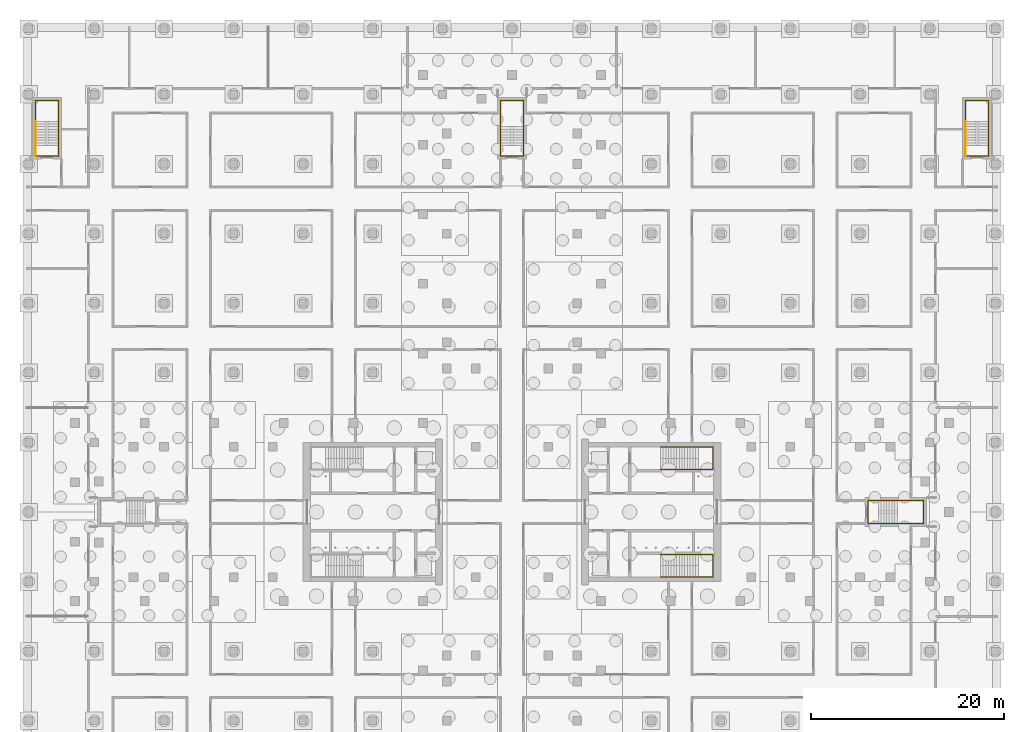
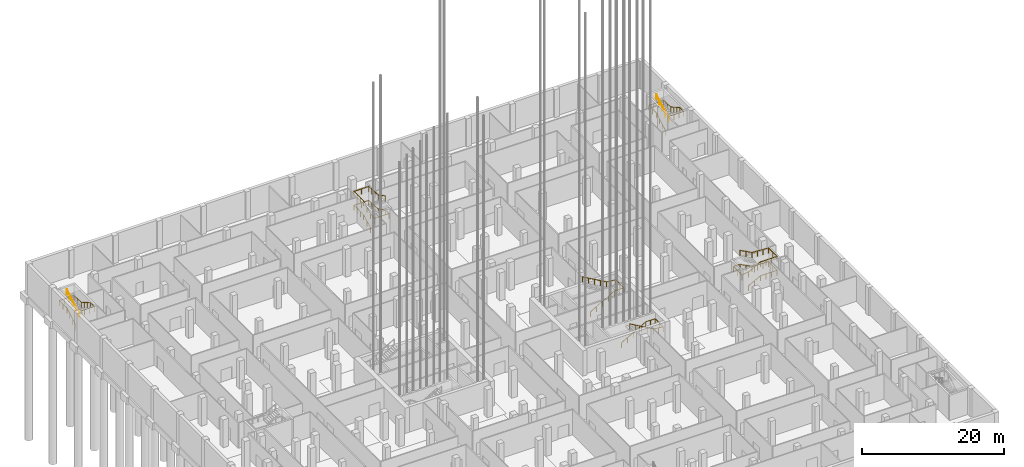
# One storey, part 53 of 54: 10 railings.
"""IFC4 building model written with IfcOpenShell, lengths in metres."""

from ifc_helpers import new_model, si_unit, direction, frame, origin, origin_2d, place, context, subcontext, project, spatial, circle, extrude, material, type_object, element, save


model = new_model("IFC4")

# Units and contexts
model_context = context("Model", 3, precision=1e-05, world=origin(), true_north=direction((0.0, 1.0)))
body_context = subcontext(model_context, "Body", "Model", "MODEL_VIEW")
ifc_project = project(units=[si_unit("LENGTHUNIT", "METRE"), si_unit("AREAUNIT", "SQUARE_METRE"), si_unit("VOLUMEUNIT", "CUBIC_METRE"), si_unit("PLANEANGLEUNIT", "RADIAN"), si_unit("MASSUNIT", "GRAM", prefix="KILO")], contexts=[model_context])

# Site, building, storey
site_placement = place(None, origin())
site = spatial("IfcSite", under=ifc_project, at=site_placement, CompositionType="ELEMENT")
building_placement = place(site_placement, origin())
building = spatial("IfcBuilding", under=site, at=building_placement, Name="Fustian Cross Tower", CompositionType="ELEMENT")
storey_placement = place(building_placement, frame((0.0, 0.0, -4.800048828125)))
storey = spatial("IfcBuildingStorey", under=building, at=storey_placement, Name="B1", CompositionType="ELEMENT", Elevation=-4.800048828125)

# Railings
ifc_material = material(Name="Stainless steel", Category="steel")
railing_type = type_object("IfcRailingType", Name="STAIR HANDRAIL", PredefinedType="HANDRAIL", material=ifc_material)
railing_1_placement = place(storey_placement, frame((15.35009765625, 4.39990234375, 0.16015625)))
element("IfcRailing", 1, at=railing_1_placement, inside=storey, type_object=railing_type, Name="Stair ST1 handrail 1", PredefinedType="HANDRAIL", context=body_context, shape_type="SweptSolid", body=[
    extrude(circle(Radius=0.02490234375, at=origin_2d()), frame((0.0, 0.0, 0.875), z_axis=(0.868239814368, 0.0, 0.496144761885), x_axis=(0.0, 1.0, 0.0)), (0.0, 0.0, 1.0), 4.514892578125),
    extrude(circle(Radius=0.02490234375, at=origin_2d()), frame((3.919921875, 0.0, 3.11474609375), z_axis=(1.0, 0.0, 0.0), x_axis=(0.0, 1.0, 0.0)), (0.0, 0.0, 1.0), 1.5400390625),
    extrude(circle(Radius=0.02490234375, at=origin_2d()), frame((5.4599609375, 0.0, 3.11474609375), z_axis=(0.0, 1.0, 0.0), x_axis=(-1.0, 0.0, 0.0)), (0.0, 0.0, 1.0), 2.300048828125),
    extrude(circle(Radius=0.02490234375, at=origin_2d()), frame((5.4599609375, 2.300048828125, 3.11474609375), z_axis=(-0.994652207469, 0.0, 0.10328110271), x_axis=(0.0, -1.0, 0.0)), (0.0, 0.0, 1.0), 1.54833984375),
    extrude(circle(Radius=0.02490234375, at=origin_2d()), frame((3.919921875, 2.300048828125, 3.27490234375), z_axis=(-0.868239814368, 0.0, 0.496144761885), x_axis=(0.0, -1.0, 0.0)), (0.0, 0.0, 1.0), 4.514892578125),
    extrude(circle(Radius=0.02001953125, at=origin_2d()), origin(), (0.0, 0.0, 1.0), 0.849853515625),
    extrude(circle(Radius=0.02001953125, at=origin_2d()), frame((0.97998046875, 0.0, 0.56005859375)), (0.0, 0.0, 1.0), 0.849853515625),
    extrude(circle(Radius=0.02001953125, at=origin_2d()), frame((1.9599609375, 0.0, 1.1201171875)), (0.0, 0.0, 1.0), 0.849853515625),
    extrude(circle(Radius=0.02001953125, at=origin_2d()), frame((2.93994140625, 0.0, 1.679931640625)), (0.0, 0.0, 1.0), 0.849853515625),
    extrude(circle(Radius=0.02001953125, at=origin_2d()), frame((3.919921875, 0.0, 2.239990234375)), (0.0, 0.0, 1.0), 0.849853515625),
    extrude(circle(Radius=0.02001953125, at=origin_2d()), frame((4.68994140625, 0.0, 2.239990234375)), (0.0, 0.0, 1.0), 0.849853515625),
    extrude(circle(Radius=0.02001953125, at=origin_2d()), frame((5.4599609375, 0.0, 2.239990234375)), (0.0, 0.0, 1.0), 0.849853515625),
    extrude(circle(Radius=0.02001953125, at=origin_2d()), frame((5.4599609375, 1.14990234375, 2.239990234375)), (0.0, 0.0, 1.0), 0.849853515625),
    extrude(circle(Radius=0.02001953125, at=origin_2d()), frame((5.4599609375, 2.300048828125, 2.239990234375)), (0.0, 0.0, 1.0), 0.849853515625),
    extrude(circle(Radius=0.02001953125, at=origin_2d()), frame((4.68994140625, 2.300048828125, 2.31982421875)), (0.0, 0.0, 1.0), 0.849853515625),
    extrude(circle(Radius=0.02001953125, at=origin_2d()), frame((3.919921875, 2.300048828125, 2.39990234375)), (0.0, 0.0, 1.0), 0.849853515625),
    extrude(circle(Radius=0.02001953125, at=origin_2d()), frame((2.93994140625, 2.300048828125, 2.9599609375)), (0.0, 0.0, 1.0), 0.849853515625),
    extrude(circle(Radius=0.02001953125, at=origin_2d()), frame((1.9599609375, 2.300048828125, 3.52001953125)), (0.0, 0.0, 1.0), 0.849853515625),
    extrude(circle(Radius=0.02001953125, at=origin_2d()), frame((0.97998046875, 2.300048828125, 4.079833984375)), (0.0, 0.0, 1.0), 0.849853515625),
    extrude(circle(Radius=0.02001953125, at=origin_2d()), frame((0.0, 2.300048828125, 4.639892578125)), (0.0, 0.0, 1.0), 0.849853515625),
])
railing_2_placement = place(storey_placement, frame((15.35009765625, -4.39990234375, 0.16015625)))
element("IfcRailing", 2, at=railing_2_placement, inside=storey, type_object=railing_type, Name="Stair ST2 handrail 1", PredefinedType="HANDRAIL", context=body_context, shape_type="SweptSolid", body=[
    extrude(circle(Radius=0.02490234375, at=origin_2d()), frame((0.0, 0.0, 0.875), z_axis=(0.868239814368, 0.0, 0.496144761885), x_axis=(0.0, 1.0, 0.0)), (0.0, 0.0, 1.0), 4.514892578125),
    extrude(circle(Radius=0.02490234375, at=origin_2d()), frame((3.919921875, 0.0, 3.11474609375), z_axis=(1.0, 0.0, 0.0), x_axis=(0.0, 1.0, 0.0)), (0.0, 0.0, 1.0), 1.5400390625),
    extrude(circle(Radius=0.02490234375, at=origin_2d()), frame((5.4599609375, 0.0, 3.11474609375), z_axis=(0.0, -1.0, 0.0), x_axis=(1.0, 0.0, 0.0)), (0.0, 0.0, 1.0), 2.300048828125),
    extrude(circle(Radius=0.02490234375, at=origin_2d()), frame((5.4599609375, -2.300048828125, 3.11474609375), z_axis=(-0.994652207469, 0.0, 0.10328110271), x_axis=(0.0, -1.0, 0.0)), (0.0, 0.0, 1.0), 1.54833984375),
    extrude(circle(Radius=0.02490234375, at=origin_2d()), frame((3.919921875, -2.300048828125, 3.27490234375), z_axis=(-0.868239814368, 0.0, 0.496144761885), x_axis=(0.0, -1.0, 0.0)), (0.0, 0.0, 1.0), 4.514892578125),
    extrude(circle(Radius=0.02001953125, at=origin_2d()), origin(), (0.0, 0.0, 1.0), 0.849853515625),
    extrude(circle(Radius=0.02001953125, at=origin_2d()), frame((0.97998046875, 0.0, 0.56005859375)), (0.0, 0.0, 1.0), 0.849853515625),
    extrude(circle(Radius=0.02001953125, at=origin_2d()), frame((1.9599609375, 0.0, 1.1201171875)), (0.0, 0.0, 1.0), 0.849853515625),
    extrude(circle(Radius=0.02001953125, at=origin_2d()), frame((2.93994140625, 0.0, 1.679931640625)), (0.0, 0.0, 1.0), 0.849853515625),
    extrude(circle(Radius=0.02001953125, at=origin_2d()), frame((3.919921875, 0.0, 2.239990234375)), (0.0, 0.0, 1.0), 0.849853515625),
    extrude(circle(Radius=0.02001953125, at=origin_2d()), frame((4.68994140625, 0.0, 2.239990234375)), (0.0, 0.0, 1.0), 0.849853515625),
    extrude(circle(Radius=0.02001953125, at=origin_2d()), frame((5.4599609375, 0.0, 2.239990234375)), (0.0, 0.0, 1.0), 0.849853515625),
    extrude(circle(Radius=0.02001953125, at=origin_2d()), frame((5.4599609375, -1.14990234375, 2.239990234375)), (0.0, 0.0, 1.0), 0.849853515625),
    extrude(circle(Radius=0.02001953125, at=origin_2d()), frame((5.4599609375, -2.300048828125, 2.239990234375)), (0.0, 0.0, 1.0), 0.849853515625),
    extrude(circle(Radius=0.02001953125, at=origin_2d()), frame((4.68994140625, -2.300048828125, 2.31982421875)), (0.0, 0.0, 1.0), 0.849853515625),
    extrude(circle(Radius=0.02001953125, at=origin_2d()), frame((3.919921875, -2.300048828125, 2.39990234375)), (0.0, 0.0, 1.0), 0.849853515625),
    extrude(circle(Radius=0.02001953125, at=origin_2d()), frame((2.93994140625, -2.300048828125, 2.9599609375)), (0.0, 0.0, 1.0), 0.849853515625),
    extrude(circle(Radius=0.02001953125, at=origin_2d()), frame((1.9599609375, -2.300048828125, 3.52001953125)), (0.0, 0.0, 1.0), 0.849853515625),
    extrude(circle(Radius=0.02001953125, at=origin_2d()), frame((0.97998046875, -2.300048828125, 4.079833984375)), (0.0, 0.0, 1.0), 0.849853515625),
    extrude(circle(Radius=0.02001953125, at=origin_2d()), frame((0.0, -2.300048828125, 4.639892578125)), (0.0, 0.0, 1.0), 0.849853515625),
])
railing_3_placement = place(storey_placement, frame((-1.199951171875, 37.89990234375, 0.150146484375)))
element("IfcRailing", 3, at=railing_3_placement, inside=storey, type_object=railing_type, Name="Stair ST5 handrail 1", PredefinedType="HANDRAIL", context=body_context, shape_type="SweptSolid", body=[
    extrude(circle(Radius=0.02490234375, at=origin_2d()), frame((0.0, 0.0, 0.875), z_axis=(0.0, 0.881537091348, 0.472114770556), x_axis=(-1.0, 0.0, 0.0)), (0.0, 0.0, 1.0), 2.2236328125),
    extrude(circle(Radius=0.02490234375, at=origin_2d()), frame((0.0, 1.960205078125, 1.9248046875), z_axis=(0.0, 1.0, 0.0), x_axis=(-1.0, 0.0, 0.0)), (0.0, 0.0, 1.0), 2.699951171875),
    extrude(circle(Radius=0.02490234375, at=origin_2d()), frame((0.0, 4.66015625, 1.9248046875), z_axis=(1.0, 0.0, 0.0), x_axis=(0.0, 1.0, 0.0)), (0.0, 0.0, 1.0), 2.39990234375),
    extrude(circle(Radius=0.02490234375, at=origin_2d()), frame((2.39990234375, 4.66015625, 1.9248046875), z_axis=(0.0, -0.998457295904, 0.055525023689), x_axis=(1.0, 0.0, 0.0)), (0.0, 0.0, 1.0), 2.7041015625),
    extrude(circle(Radius=0.02490234375, at=origin_2d()), frame((2.39990234375, 1.960205078125, 2.07470703125), z_axis=(0.0, -0.881491394732, 0.472200085782), x_axis=(1.0, 0.0, 0.0)), (0.0, 0.0, 1.0), 2.2236328125),
    extrude(circle(Radius=0.02490234375, at=origin_2d()), frame((2.39990234375, 0.0, 3.125), z_axis=(0.0, -1.0, 0.0), x_axis=(1.0, 0.0, 0.0)), (0.0, 0.0, 1.0), 1.059814453125),
    extrude(circle(Radius=0.02490234375, at=origin_2d()), frame((2.39990234375, -1.059814453125, 3.125), z_axis=(-1.0, 0.0, 0.0), x_axis=(0.0, -1.0, 0.0)), (0.0, 0.0, 1.0), 2.39990234375),
    extrude(circle(Radius=0.02001953125, at=origin_2d()), origin(), (0.0, 0.0, 1.0), 0.849853515625),
    extrude(circle(Radius=0.02001953125, at=origin_2d()), frame((0.0, 0.97998046875, 0.52490234375)), (0.0, 0.0, 1.0), 0.849853515625),
    extrude(circle(Radius=0.02001953125, at=origin_2d()), frame((0.0, 1.960205078125, 1.0498046875)), (0.0, 0.0, 1.0), 0.849853515625),
    extrude(circle(Radius=0.02001953125, at=origin_2d()), frame((0.0, 2.860107421875, 1.0498046875)), (0.0, 0.0, 1.0), 0.849853515625),
    extrude(circle(Radius=0.02001953125, at=origin_2d()), frame((0.0, 3.76025390625, 1.0498046875)), (0.0, 0.0, 1.0), 0.849853515625),
    extrude(circle(Radius=0.02001953125, at=origin_2d()), frame((0.0, 4.66015625, 1.0498046875)), (0.0, 0.0, 1.0), 0.849853515625),
    extrude(circle(Radius=0.02001953125, at=origin_2d()), frame((1.199951171875, 4.66015625, 1.0498046875)), (0.0, 0.0, 1.0), 0.849853515625),
    extrude(circle(Radius=0.02001953125, at=origin_2d()), frame((2.39990234375, 4.66015625, 1.0498046875)), (0.0, 0.0, 1.0), 0.849853515625),
    extrude(circle(Radius=0.02001953125, at=origin_2d()), frame((2.39990234375, 3.76025390625, 1.099853515625)), (0.0, 0.0, 1.0), 0.849853515625),
    extrude(circle(Radius=0.02001953125, at=origin_2d()), frame((2.39990234375, 2.860107421875, 1.14990234375)), (0.0, 0.0, 1.0), 0.849853515625),
    extrude(circle(Radius=0.02001953125, at=origin_2d()), frame((2.39990234375, 1.960205078125, 1.199951171875)), (0.0, 0.0, 1.0), 0.849853515625),
    extrude(circle(Radius=0.02001953125, at=origin_2d()), frame((2.39990234375, 0.97998046875, 1.72509765625)), (0.0, 0.0, 1.0), 0.849853515625),
    extrude(circle(Radius=0.02001953125, at=origin_2d()), frame((2.39990234375, 0.0, 2.25)), (0.0, 0.0, 1.0), 0.849853515625),
    extrude(circle(Radius=0.02001953125, at=origin_2d()), frame((2.39990234375, -1.059814453125, 2.25)), (0.0, 0.0, 1.0), 0.849853515625),
    extrude(circle(Radius=0.02001953125, at=origin_2d()), frame((1.199951171875, -1.059814453125, 2.25)), (0.0, 0.0, 1.0), 0.849853515625),
    extrude(circle(Radius=0.02001953125, at=origin_2d()), frame((0.0, -1.059814453125, 2.25)), (0.0, 0.0, 1.0), 0.849853515625),
])
railing_4_placement = place(storey_placement, frame((-1.199951171875, 36.840087890625, 2.400146484375)))
element("IfcRailing", 4, at=railing_4_placement, inside=storey, type_object=railing_type, Name="Stair ST5 handrail 2", PredefinedType="HANDRAIL", context=body_context, shape_type="SweptSolid", body=[
    extrude(circle(Radius=0.02490234375, at=origin_2d()), frame((0.0, 0.0, 0.875), z_axis=(0.0, 0.990144699965, 0.140048110062), x_axis=(-1.0, 0.0, 0.0)), (0.0, 0.0, 1.0), 1.0703125),
    extrude(circle(Radius=0.02490234375, at=origin_2d()), frame((0.0, 1.059814453125, 1.02490234375), z_axis=(0.0, 0.881491394732, 0.472200085782), x_axis=(-1.0, 0.0, 0.0)), (0.0, 0.0, 1.0), 2.2236328125),
    extrude(circle(Radius=0.02490234375, at=origin_2d()), frame((0.0, 3.02001953125, 2.07470703125), z_axis=(0.0, 1.0, 0.0), x_axis=(-1.0, 0.0, 0.0)), (0.0, 0.0, 1.0), 2.699951171875),
    extrude(circle(Radius=0.02490234375, at=origin_2d()), frame((0.0, 5.719970703125, 2.07470703125), z_axis=(1.0, 0.0, 0.0), x_axis=(0.0, 1.0, 0.0)), (0.0, 0.0, 1.0), 2.39990234375),
    extrude(circle(Radius=0.02490234375, at=origin_2d()), frame((2.39990234375, 5.719970703125, 2.07470703125), z_axis=(0.0, -0.998462297193, 0.055435016772), x_axis=(1.0, 0.0, 0.0)), (0.0, 0.0, 1.0), 2.7041015625),
    extrude(circle(Radius=0.02490234375, at=origin_2d()), frame((2.39990234375, 3.02001953125, 2.224609375), z_axis=(0.0, -0.881491394732, 0.472200085782), x_axis=(1.0, 0.0, 0.0)), (0.0, 0.0, 1.0), 2.2236328125),
    extrude(circle(Radius=0.02001953125, at=origin_2d()), origin(), (0.0, 0.0, 1.0), 0.849853515625),
    extrude(circle(Radius=0.02001953125, at=origin_2d()), frame((0.0, 1.059814453125, 0.14990234375)), (0.0, 0.0, 1.0), 0.849853515625),
    extrude(circle(Radius=0.02001953125, at=origin_2d()), frame((0.0, 2.0400390625, 0.6748046875)), (0.0, 0.0, 1.0), 0.849853515625),
    extrude(circle(Radius=0.02001953125, at=origin_2d()), frame((0.0, 3.02001953125, 1.199951171875)), (0.0, 0.0, 1.0), 0.849853515625),
    extrude(circle(Radius=0.02001953125, at=origin_2d()), frame((0.0, 3.919921875, 1.199951171875)), (0.0, 0.0, 1.0), 0.849853515625),
    extrude(circle(Radius=0.02001953125, at=origin_2d()), frame((0.0, 4.820068359375, 1.199951171875)), (0.0, 0.0, 1.0), 0.849853515625),
    extrude(circle(Radius=0.02001953125, at=origin_2d()), frame((0.0, 5.719970703125, 1.199951171875)), (0.0, 0.0, 1.0), 0.849853515625),
    extrude(circle(Radius=0.02001953125, at=origin_2d()), frame((1.199951171875, 5.719970703125, 1.199951171875)), (0.0, 0.0, 1.0), 0.849853515625),
    extrude(circle(Radius=0.02001953125, at=origin_2d()), frame((2.39990234375, 5.719970703125, 1.199951171875)), (0.0, 0.0, 1.0), 0.849853515625),
    extrude(circle(Radius=0.02001953125, at=origin_2d()), frame((2.39990234375, 4.820068359375, 1.25)), (0.0, 0.0, 1.0), 0.849853515625),
    extrude(circle(Radius=0.02001953125, at=origin_2d()), frame((2.39990234375, 3.919921875, 1.2998046875)), (0.0, 0.0, 1.0), 0.849853515625),
    extrude(circle(Radius=0.02001953125, at=origin_2d()), frame((2.39990234375, 3.02001953125, 1.349853515625)), (0.0, 0.0, 1.0), 0.849853515625),
    extrude(circle(Radius=0.02001953125, at=origin_2d()), frame((2.39990234375, 2.0400390625, 1.875)), (0.0, 0.0, 1.0), 0.849853515625),
    extrude(circle(Radius=0.02001953125, at=origin_2d()), frame((2.39990234375, 1.059814453125, 2.39990234375)), (0.0, 0.0, 1.0), 0.849853515625),
])
railing_5_placement = place(storey_placement, frame((37.89990234375, -1.199951171875, 0.150146484375)))
element("IfcRailing", 5, at=railing_5_placement, inside=storey, type_object=railing_type, Name="Stair ST8 handrail 1", PredefinedType="HANDRAIL", context=body_context, shape_type="SweptSolid", body=[
    extrude(circle(Radius=0.02490234375, at=origin_2d()), frame((0.0, 0.0, 0.875), z_axis=(0.881537091348, 0.0, 0.472114770556), x_axis=(0.0, 1.0, 0.0)), (0.0, 0.0, 1.0), 2.2236328125),
    extrude(circle(Radius=0.02490234375, at=origin_2d()), frame((1.960205078125, 0.0, 1.9248046875), z_axis=(1.0, 0.0, 0.0), x_axis=(0.0, 1.0, 0.0)), (0.0, 0.0, 1.0), 2.699951171875),
    extrude(circle(Radius=0.02490234375, at=origin_2d()), frame((4.66015625, 0.0, 1.9248046875), z_axis=(0.0, 1.0, 0.0), x_axis=(-1.0, 0.0, 0.0)), (0.0, 0.0, 1.0), 2.39990234375),
    extrude(circle(Radius=0.02490234375, at=origin_2d()), frame((4.66015625, 2.39990234375, 1.9248046875), z_axis=(-0.998457295904, 0.0, 0.055525023689), x_axis=(0.0, -1.0, 0.0)), (0.0, 0.0, 1.0), 2.7041015625),
    extrude(circle(Radius=0.02490234375, at=origin_2d()), frame((1.960205078125, 2.39990234375, 2.07470703125), z_axis=(-0.881491394732, 0.0, 0.472200085782), x_axis=(0.0, -1.0, 0.0)), (0.0, 0.0, 1.0), 2.2236328125),
    extrude(circle(Radius=0.02490234375, at=origin_2d()), frame((0.0, 2.39990234375, 3.125), z_axis=(-1.0, 0.0, 0.0), x_axis=(0.0, -1.0, 0.0)), (0.0, 0.0, 1.0), 1.059814453125),
    extrude(circle(Radius=0.02490234375, at=origin_2d()), frame((-1.059814453125, 2.39990234375, 3.125), z_axis=(0.0, -1.0, 0.0), x_axis=(1.0, 0.0, 0.0)), (0.0, 0.0, 1.0), 2.39990234375),
    extrude(circle(Radius=0.02001953125, at=origin_2d()), origin(), (0.0, 0.0, 1.0), 0.849853515625),
    extrude(circle(Radius=0.02001953125, at=origin_2d()), frame((0.97998046875, 0.0, 0.52490234375)), (0.0, 0.0, 1.0), 0.849853515625),
    extrude(circle(Radius=0.02001953125, at=origin_2d()), frame((1.960205078125, 0.0, 1.0498046875)), (0.0, 0.0, 1.0), 0.849853515625),
    extrude(circle(Radius=0.02001953125, at=origin_2d()), frame((2.860107421875, 0.0, 1.0498046875)), (0.0, 0.0, 1.0), 0.849853515625),
    extrude(circle(Radius=0.02001953125, at=origin_2d()), frame((3.76025390625, 0.0, 1.0498046875)), (0.0, 0.0, 1.0), 0.849853515625),
    extrude(circle(Radius=0.02001953125, at=origin_2d()), frame((4.66015625, 0.0, 1.0498046875)), (0.0, 0.0, 1.0), 0.849853515625),
    extrude(circle(Radius=0.02001953125, at=origin_2d()), frame((4.66015625, 1.199951171875, 1.0498046875)), (0.0, 0.0, 1.0), 0.849853515625),
    extrude(circle(Radius=0.02001953125, at=origin_2d()), frame((4.66015625, 2.39990234375, 1.0498046875)), (0.0, 0.0, 1.0), 0.849853515625),
    extrude(circle(Radius=0.02001953125, at=origin_2d()), frame((3.76025390625, 2.39990234375, 1.099853515625)), (0.0, 0.0, 1.0), 0.849853515625),
    extrude(circle(Radius=0.02001953125, at=origin_2d()), frame((2.860107421875, 2.39990234375, 1.14990234375)), (0.0, 0.0, 1.0), 0.849853515625),
    extrude(circle(Radius=0.02001953125, at=origin_2d()), frame((1.960205078125, 2.39990234375, 1.199951171875)), (0.0, 0.0, 1.0), 0.849853515625),
    extrude(circle(Radius=0.02001953125, at=origin_2d()), frame((0.97998046875, 2.39990234375, 1.72509765625)), (0.0, 0.0, 1.0), 0.849853515625),
    extrude(circle(Radius=0.02001953125, at=origin_2d()), frame((0.0, 2.39990234375, 2.25)), (0.0, 0.0, 1.0), 0.849853515625),
    extrude(circle(Radius=0.02001953125, at=origin_2d()), frame((-1.059814453125, 2.39990234375, 2.25)), (0.0, 0.0, 1.0), 0.849853515625),
    extrude(circle(Radius=0.02001953125, at=origin_2d()), frame((-1.059814453125, 1.199951171875, 2.25)), (0.0, 0.0, 1.0), 0.849853515625),
    extrude(circle(Radius=0.02001953125, at=origin_2d()), frame((-1.059814453125, 0.0, 2.25)), (0.0, 0.0, 1.0), 0.849853515625),
])
railing_6_placement = place(storey_placement, frame((36.840087890625, -1.199951171875, 2.400146484375)))
element("IfcRailing", 6, at=railing_6_placement, inside=storey, type_object=railing_type, Name="Stair ST8 handrail 2", PredefinedType="HANDRAIL", context=body_context, shape_type="SweptSolid", body=[
    extrude(circle(Radius=0.02490234375, at=origin_2d()), frame((0.0, 0.0, 0.875), z_axis=(0.990144699965, 0.0, 0.140048110062), x_axis=(0.0, 1.0, 0.0)), (0.0, 0.0, 1.0), 1.0703125),
    extrude(circle(Radius=0.02490234375, at=origin_2d()), frame((1.059814453125, 0.0, 1.02490234375), z_axis=(0.881491394732, 0.0, 0.472200085782), x_axis=(0.0, 1.0, 0.0)), (0.0, 0.0, 1.0), 2.2236328125),
    extrude(circle(Radius=0.02490234375, at=origin_2d()), frame((3.02001953125, 0.0, 2.07470703125), z_axis=(1.0, 0.0, 0.0), x_axis=(0.0, 1.0, 0.0)), (0.0, 0.0, 1.0), 2.699951171875),
    extrude(circle(Radius=0.02490234375, at=origin_2d()), frame((5.719970703125, 0.0, 2.07470703125), z_axis=(0.0, 1.0, 0.0), x_axis=(-1.0, 0.0, 0.0)), (0.0, 0.0, 1.0), 2.39990234375),
    extrude(circle(Radius=0.02490234375, at=origin_2d()), frame((5.719970703125, 2.39990234375, 2.07470703125), z_axis=(-0.998462297193, 0.0, 0.055435016772), x_axis=(0.0, -1.0, 0.0)), (0.0, 0.0, 1.0), 2.7041015625),
    extrude(circle(Radius=0.02490234375, at=origin_2d()), frame((3.02001953125, 2.39990234375, 2.224609375), z_axis=(-0.881491394732, 0.0, 0.472200085782), x_axis=(0.0, -1.0, 0.0)), (0.0, 0.0, 1.0), 2.2236328125),
    extrude(circle(Radius=0.02001953125, at=origin_2d()), origin(), (0.0, 0.0, 1.0), 0.849853515625),
    extrude(circle(Radius=0.02001953125, at=origin_2d()), frame((1.059814453125, 0.0, 0.14990234375)), (0.0, 0.0, 1.0), 0.849853515625),
    extrude(circle(Radius=0.02001953125, at=origin_2d()), frame((2.0400390625, 0.0, 0.6748046875)), (0.0, 0.0, 1.0), 0.849853515625),
    extrude(circle(Radius=0.02001953125, at=origin_2d()), frame((3.02001953125, 0.0, 1.199951171875)), (0.0, 0.0, 1.0), 0.849853515625),
    extrude(circle(Radius=0.02001953125, at=origin_2d()), frame((3.919921875, 0.0, 1.199951171875)), (0.0, 0.0, 1.0), 0.849853515625),
    extrude(circle(Radius=0.02001953125, at=origin_2d()), frame((4.820068359375, 0.0, 1.199951171875)), (0.0, 0.0, 1.0), 0.849853515625),
    extrude(circle(Radius=0.02001953125, at=origin_2d()), frame((5.719970703125, 0.0, 1.199951171875)), (0.0, 0.0, 1.0), 0.849853515625),
    extrude(circle(Radius=0.02001953125, at=origin_2d()), frame((5.719970703125, 1.199951171875, 1.199951171875)), (0.0, 0.0, 1.0), 0.849853515625),
    extrude(circle(Radius=0.02001953125, at=origin_2d()), frame((5.719970703125, 2.39990234375, 1.199951171875)), (0.0, 0.0, 1.0), 0.849853515625),
    extrude(circle(Radius=0.02001953125, at=origin_2d()), frame((4.820068359375, 2.39990234375, 1.25)), (0.0, 0.0, 1.0), 0.849853515625),
    extrude(circle(Radius=0.02001953125, at=origin_2d()), frame((3.919921875, 2.39990234375, 1.2998046875)), (0.0, 0.0, 1.0), 0.849853515625),
    extrude(circle(Radius=0.02001953125, at=origin_2d()), frame((3.02001953125, 2.39990234375, 1.349853515625)), (0.0, 0.0, 1.0), 0.849853515625),
    extrude(circle(Radius=0.02001953125, at=origin_2d()), frame((2.0400390625, 2.39990234375, 1.875)), (0.0, 0.0, 1.0), 0.849853515625),
    extrude(circle(Radius=0.02001953125, at=origin_2d()), frame((1.059814453125, 2.39990234375, 2.39990234375)), (0.0, 0.0, 1.0), 0.849853515625),
])
railing_7_placement = place(storey_placement, frame((46.89990234375, 37.89990234375, 0.16015625)))
element("IfcRailing", 7, at=railing_7_placement, inside=storey, type_object=railing_type, Name="Stair ST10 handrail 1", PredefinedType="HANDRAIL", context=body_context, shape_type="SweptSolid", body=[
    extrude(circle(Radius=0.02490234375, at=origin_2d()), frame((0.0, 0.0, 0.875), z_axis=(0.0, 0.868253494771, 0.496120820787), x_axis=(-1.0, 0.0, 0.0)), (0.0, 0.0, 1.0), 2.90234375),
    extrude(circle(Radius=0.02490234375, at=origin_2d()), frame((0.0, 2.52001953125, 2.31494140625), z_axis=(0.0, 1.0, 0.0), x_axis=(-1.0, 0.0, 0.0)), (0.0, 0.0, 1.0), 2.14013671875),
    extrude(circle(Radius=0.02490234375, at=origin_2d()), frame((0.0, 4.66015625, 2.31494140625), z_axis=(1.0, 0.0, 0.0), x_axis=(0.0, 1.0, 0.0)), (0.0, 0.0, 1.0), 2.400146484375),
    extrude(circle(Radius=0.02490234375, at=origin_2d()), frame((2.400146484375, 4.66015625, 2.31494140625), z_axis=(0.0, -0.997220057848, 0.074512792367), x_axis=(1.0, 0.0, 0.0)), (0.0, 0.0, 1.0), 2.14599609375),
    extrude(circle(Radius=0.02490234375, at=origin_2d()), frame((2.400146484375, 2.52001953125, 2.474609375), z_axis=(0.0, -0.868253494771, 0.496120820787), x_axis=(1.0, 0.0, 0.0)), (0.0, 0.0, 1.0), 2.90234375),
    extrude(circle(Radius=0.02490234375, at=origin_2d()), frame((2.400146484375, 0.0, 3.91455078125), z_axis=(0.0, -1.0, 0.0), x_axis=(1.0, 0.0, 0.0)), (0.0, 0.0, 1.0), 1.059814453125),
    extrude(circle(Radius=0.02490234375, at=origin_2d()), frame((2.400146484375, -1.059814453125, 3.91455078125), z_axis=(-1.0, 0.0, 0.0), x_axis=(0.0, -1.0, 0.0)), (0.0, 0.0, 1.0), 2.400146484375),
    extrude(circle(Radius=0.02001953125, at=origin_2d()), origin(), (0.0, 0.0, 1.0), 0.849853515625),
    extrude(circle(Radius=0.02001953125, at=origin_2d()), frame((0.0, 0.840087890625, 0.47998046875)), (0.0, 0.0, 1.0), 0.849853515625),
    extrude(circle(Radius=0.02001953125, at=origin_2d()), frame((0.0, 1.679931640625, 0.9599609375)), (0.0, 0.0, 1.0), 0.849853515625),
    extrude(circle(Radius=0.02001953125, at=origin_2d()), frame((0.0, 2.52001953125, 1.43994140625)), (0.0, 0.0, 1.0), 0.849853515625),
    extrude(circle(Radius=0.02001953125, at=origin_2d()), frame((0.0, 3.590087890625, 1.43994140625)), (0.0, 0.0, 1.0), 0.849853515625),
    extrude(circle(Radius=0.02001953125, at=origin_2d()), frame((0.0, 4.66015625, 1.43994140625)), (0.0, 0.0, 1.0), 0.849853515625),
    extrude(circle(Radius=0.02001953125, at=origin_2d()), frame((0.800048828125, 4.66015625, 1.43994140625)), (0.0, 0.0, 1.0), 0.849853515625),
    extrude(circle(Radius=0.02001953125, at=origin_2d()), frame((1.60009765625, 4.66015625, 1.43994140625)), (0.0, 0.0, 1.0), 0.849853515625),
    extrude(circle(Radius=0.02001953125, at=origin_2d()), frame((2.400146484375, 4.66015625, 1.43994140625)), (0.0, 0.0, 1.0), 0.849853515625),
    extrude(circle(Radius=0.02001953125, at=origin_2d()), frame((2.400146484375, 3.590087890625, 1.52001953125)), (0.0, 0.0, 1.0), 0.849853515625),
    extrude(circle(Radius=0.02001953125, at=origin_2d()), frame((2.400146484375, 2.52001953125, 1.599853515625)), (0.0, 0.0, 1.0), 0.849853515625),
    extrude(circle(Radius=0.02001953125, at=origin_2d()), frame((2.400146484375, 1.679931640625, 2.079833984375)), (0.0, 0.0, 1.0), 0.849853515625),
    extrude(circle(Radius=0.02001953125, at=origin_2d()), frame((2.400146484375, 0.840087890625, 2.559814453125)), (0.0, 0.0, 1.0), 0.849853515625),
    extrude(circle(Radius=0.02001953125, at=origin_2d()), frame((2.400146484375, 0.0, 3.039794921875)), (0.0, 0.0, 1.0), 0.849853515625),
    extrude(circle(Radius=0.02001953125, at=origin_2d()), frame((2.400146484375, -1.059814453125, 3.039794921875)), (0.0, 0.0, 1.0), 0.849853515625),
    extrude(circle(Radius=0.02001953125, at=origin_2d()), frame((1.60009765625, -1.059814453125, 3.039794921875)), (0.0, 0.0, 1.0), 0.849853515625),
    extrude(circle(Radius=0.02001953125, at=origin_2d()), frame((0.800048828125, -1.059814453125, 3.039794921875)), (0.0, 0.0, 1.0), 0.849853515625),
    extrude(circle(Radius=0.02001953125, at=origin_2d()), frame((0.0, -1.059814453125, 3.039794921875)), (0.0, 0.0, 1.0), 0.849853515625),
])
railing_8_placement = place(storey_placement, frame((46.89990234375, 36.840087890625, 3.199951171875)))
element("IfcRailing", 8, at=railing_8_placement, inside=storey, type_object=railing_type, Name="Stair ST10 handrail 2", PredefinedType="HANDRAIL", context=body_context, shape_type="SweptSolid", body=[
    extrude(circle(Radius=0.02490234375, at=origin_2d()), frame((0.0, 0.0, 0.875), z_axis=(0.0, 0.988773702343, 0.149420766813), x_axis=(-1.0, 0.0, 0.0)), (0.0, 0.0, 1.0), 1.07177734375),
    extrude(circle(Radius=0.02490234375, at=origin_2d()), frame((0.0, 1.059814453125, 1.03515625), z_axis=(0.0, 0.868253494771, 0.496120820787), x_axis=(-1.0, 0.0, 0.0)), (0.0, 0.0, 1.0), 2.90234375),
    extrude(circle(Radius=0.02001953125, at=origin_2d()), origin(), (0.0, 0.0, 1.0), 0.849853515625),
    extrude(circle(Radius=0.02001953125, at=origin_2d()), frame((0.0, 1.059814453125, 0.16015625)), (0.0, 0.0, 1.0), 0.849853515625),
    extrude(circle(Radius=0.02001953125, at=origin_2d()), frame((0.0, 1.89990234375, 0.64013671875)), (0.0, 0.0, 1.0), 0.849853515625),
    extrude(circle(Radius=0.02001953125, at=origin_2d()), frame((0.0, 2.73974609375, 1.1201171875)), (0.0, 0.0, 1.0), 0.849853515625),
    extrude(circle(Radius=0.02001953125, at=origin_2d()), frame((0.0, 3.579833984375, 1.60009765625)), (0.0, 0.0, 1.0), 0.849853515625),
])
railing_9_placement = place(storey_placement, frame((-49.300048828125, 37.89990234375, 0.16015625)))
element("IfcRailing", 9, at=railing_9_placement, inside=storey, type_object=railing_type, Name="Stair ST11 handrail 1", PredefinedType="HANDRAIL", context=body_context, shape_type="SweptSolid", body=[
    extrude(circle(Radius=0.02490234375, at=origin_2d()), frame((0.0, 0.0, 0.875), z_axis=(0.0, 0.868253494771, 0.496120820787), x_axis=(-1.0, 0.0, 0.0)), (0.0, 0.0, 1.0), 2.90234375),
    extrude(circle(Radius=0.02490234375, at=origin_2d()), frame((0.0, 2.52001953125, 2.31494140625), z_axis=(0.0, 1.0, 0.0), x_axis=(-1.0, 0.0, 0.0)), (0.0, 0.0, 1.0), 2.14013671875),
    extrude(circle(Radius=0.02490234375, at=origin_2d()), frame((0.0, 4.66015625, 2.31494140625), z_axis=(1.0, 0.0, 0.0), x_axis=(0.0, 1.0, 0.0)), (0.0, 0.0, 1.0), 2.400146484375),
    extrude(circle(Radius=0.02490234375, at=origin_2d()), frame((2.400146484375, 4.66015625, 2.31494140625), z_axis=(0.0, -0.997220057848, 0.074512792367), x_axis=(1.0, 0.0, 0.0)), (0.0, 0.0, 1.0), 2.14599609375),
    extrude(circle(Radius=0.02490234375, at=origin_2d()), frame((2.400146484375, 2.52001953125, 2.474609375), z_axis=(0.0, -0.868253494771, 0.496120820787), x_axis=(1.0, 0.0, 0.0)), (0.0, 0.0, 1.0), 2.90234375),
    extrude(circle(Radius=0.02490234375, at=origin_2d()), frame((2.400146484375, 0.0, 3.91455078125), z_axis=(0.0, -1.0, 0.0), x_axis=(1.0, 0.0, 0.0)), (0.0, 0.0, 1.0), 1.059814453125),
    extrude(circle(Radius=0.02490234375, at=origin_2d()), frame((2.400146484375, -1.059814453125, 3.91455078125), z_axis=(-1.0, 0.0, 0.0), x_axis=(0.0, -1.0, 0.0)), (0.0, 0.0, 1.0), 2.400146484375),
    extrude(circle(Radius=0.02001953125, at=origin_2d()), origin(), (0.0, 0.0, 1.0), 0.849853515625),
    extrude(circle(Radius=0.02001953125, at=origin_2d()), frame((0.0, 0.840087890625, 0.47998046875)), (0.0, 0.0, 1.0), 0.849853515625),
    extrude(circle(Radius=0.02001953125, at=origin_2d()), frame((0.0, 1.679931640625, 0.9599609375)), (0.0, 0.0, 1.0), 0.849853515625),
    extrude(circle(Radius=0.02001953125, at=origin_2d()), frame((0.0, 2.52001953125, 1.43994140625)), (0.0, 0.0, 1.0), 0.849853515625),
    extrude(circle(Radius=0.02001953125, at=origin_2d()), frame((0.0, 3.590087890625, 1.43994140625)), (0.0, 0.0, 1.0), 0.849853515625),
    extrude(circle(Radius=0.02001953125, at=origin_2d()), frame((0.0, 4.66015625, 1.43994140625)), (0.0, 0.0, 1.0), 0.849853515625),
    extrude(circle(Radius=0.02001953125, at=origin_2d()), frame((0.800048828125, 4.66015625, 1.43994140625)), (0.0, 0.0, 1.0), 0.849853515625),
    extrude(circle(Radius=0.02001953125, at=origin_2d()), frame((1.60009765625, 4.66015625, 1.43994140625)), (0.0, 0.0, 1.0), 0.849853515625),
    extrude(circle(Radius=0.02001953125, at=origin_2d()), frame((2.400146484375, 4.66015625, 1.43994140625)), (0.0, 0.0, 1.0), 0.849853515625),
    extrude(circle(Radius=0.02001953125, at=origin_2d()), frame((2.400146484375, 3.590087890625, 1.52001953125)), (0.0, 0.0, 1.0), 0.849853515625),
    extrude(circle(Radius=0.02001953125, at=origin_2d()), frame((2.400146484375, 2.52001953125, 1.599853515625)), (0.0, 0.0, 1.0), 0.849853515625),
    extrude(circle(Radius=0.02001953125, at=origin_2d()), frame((2.400146484375, 1.679931640625, 2.079833984375)), (0.0, 0.0, 1.0), 0.849853515625),
    extrude(circle(Radius=0.02001953125, at=origin_2d()), frame((2.400146484375, 0.840087890625, 2.559814453125)), (0.0, 0.0, 1.0), 0.849853515625),
    extrude(circle(Radius=0.02001953125, at=origin_2d()), frame((2.400146484375, 0.0, 3.039794921875)), (0.0, 0.0, 1.0), 0.849853515625),
    extrude(circle(Radius=0.02001953125, at=origin_2d()), frame((2.400146484375, -1.059814453125, 3.039794921875)), (0.0, 0.0, 1.0), 0.849853515625),
    extrude(circle(Radius=0.02001953125, at=origin_2d()), frame((1.60009765625, -1.059814453125, 3.039794921875)), (0.0, 0.0, 1.0), 0.849853515625),
    extrude(circle(Radius=0.02001953125, at=origin_2d()), frame((0.800048828125, -1.059814453125, 3.039794921875)), (0.0, 0.0, 1.0), 0.849853515625),
    extrude(circle(Radius=0.02001953125, at=origin_2d()), frame((0.0, -1.059814453125, 3.039794921875)), (0.0, 0.0, 1.0), 0.849853515625),
])
railing_10_placement = place(storey_placement, frame((-49.300048828125, 36.840087890625, 3.199951171875)))
element("IfcRailing", 10, at=railing_10_placement, inside=storey, type_object=railing_type, Name="Stair ST11 handrail 2", PredefinedType="HANDRAIL", context=body_context, shape_type="SweptSolid", body=[
    extrude(circle(Radius=0.02490234375, at=origin_2d()), frame((0.0, 0.0, 0.875), z_axis=(0.0, 0.988773702343, 0.149420766813), x_axis=(-1.0, 0.0, 0.0)), (0.0, 0.0, 1.0), 1.07177734375),
    extrude(circle(Radius=0.02490234375, at=origin_2d()), frame((0.0, 1.059814453125, 1.03515625), z_axis=(0.0, 0.868253494771, 0.496120820787), x_axis=(-1.0, 0.0, 0.0)), (0.0, 0.0, 1.0), 2.90234375),
    extrude(circle(Radius=0.02001953125, at=origin_2d()), origin(), (0.0, 0.0, 1.0), 0.849853515625),
    extrude(circle(Radius=0.02001953125, at=origin_2d()), frame((0.0, 1.059814453125, 0.16015625)), (0.0, 0.0, 1.0), 0.849853515625),
    extrude(circle(Radius=0.02001953125, at=origin_2d()), frame((0.0, 1.89990234375, 0.64013671875)), (0.0, 0.0, 1.0), 0.849853515625),
    extrude(circle(Radius=0.02001953125, at=origin_2d()), frame((0.0, 2.73974609375, 1.1201171875)), (0.0, 0.0, 1.0), 0.849853515625),
    extrude(circle(Radius=0.02001953125, at=origin_2d()), frame((0.0, 3.579833984375, 1.60009765625)), (0.0, 0.0, 1.0), 0.849853515625),
])

save(model, "model.ifc")
